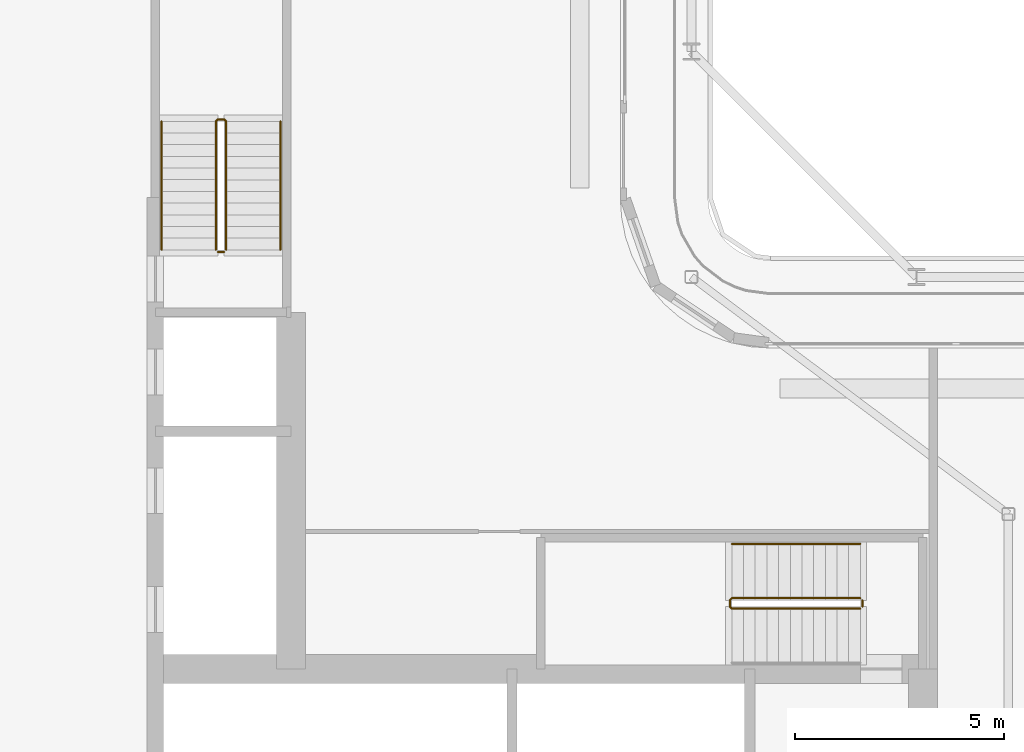
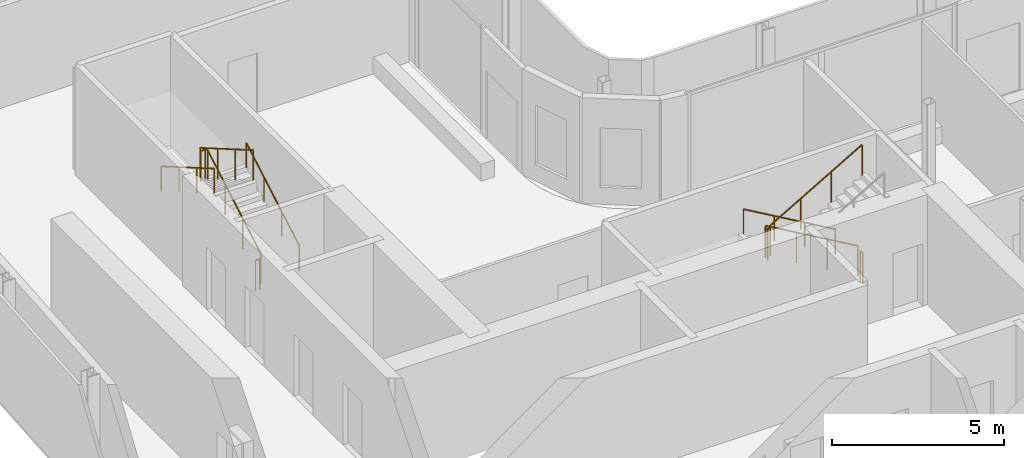
# One storey, part 17 of 22: 7 railings.
"""IFC4 building model written with IfcOpenShell, lengths in metres."""

from ifc_helpers import new_model, si_unit, direction, frame, origin, origin_2d, place, context, subcontext, project, spatial, circle, extrude, material, type_object, element, save


model = new_model("IFC4")

# Units and contexts
model_context = context("Model", 3, precision=1e-05, world=origin(), true_north=direction((0.0, 1.0)))
body_context = subcontext(model_context, "Body", "Model", "MODEL_VIEW")
ifc_project = project(units=[si_unit("LENGTHUNIT", "METRE"), si_unit("AREAUNIT", "SQUARE_METRE"), si_unit("VOLUMEUNIT", "CUBIC_METRE"), si_unit("PLANEANGLEUNIT", "RADIAN"), si_unit("MASSUNIT", "GRAM", prefix="KILO")], contexts=[model_context])

# Site, building, storey
site_placement = place(None, origin())
site = spatial("IfcSite", under=ifc_project, at=site_placement, CompositionType="ELEMENT")
building_placement = place(site_placement, origin())
building = spatial("IfcBuilding", under=site, at=building_placement, Name="Kheshtan School and Residences Tower", CompositionType="ELEMENT")
storey_placement = place(building_placement, frame((0.0, 0.0, 255.199951171875)))
storey = spatial("IfcBuildingStorey", under=building, at=storey_placement, Name="L60", CompositionType="ELEMENT", Elevation=255.199951171875)

# Railings
ifc_material_1 = material(Name="Stainless steel balustrade", Category="steel")
railing_type_1 = type_object("IfcRailingType", Name="Stair guard 1100", PredefinedType="GUARDRAIL", material=ifc_material_1)
railing_1_placement = place(storey_placement, frame((51.64990234375, 37.89990234375, 0.16259765625)))
element("IfcRailing", 1, at=railing_1_placement, inside=storey, type_object=railing_type_1, Name="L60 ST1 stair guard 1", PredefinedType="GUARDRAIL", context=body_context, shape_type="SweptSolid", body=[
    extrude(circle(Radius=0.02392578125, at=origin_2d()), frame((0.0, 0.0, 1.076171875), z_axis=(-0.864903211148, 0.0, 0.501938676878), x_axis=(0.0, -1.0, 0.0)), (0.0, 0.0, 1.0), 3.560791015625),
    extrude(circle(Radius=0.02392578125, at=origin_2d()), frame((-3.079833984375, 0.0, 2.86328125), z_axis=(-0.708833529934, -0.705375805398, 0.0), x_axis=(0.705375805398, -0.708833529934, 0.0)), (0.0, 0.0, 1.0), 0.070556640625),
    extrude(circle(Radius=0.02392578125, at=origin_2d()), frame((-3.1298828125, -0.0498046875, 2.86328125), z_axis=(0.0, -1.0, 0.0), x_axis=(1.0, 0.0, 0.0)), (0.0, 0.0, 1.0), 0.150146484375),
    extrude(circle(Radius=0.02392578125, at=origin_2d()), frame((-3.1298828125, -0.199951171875, 2.86328125), z_axis=(0.282227285176, -0.282227285176, 0.916894497205), x_axis=(0.707106781187, 0.707106781187, 0.0)), (0.0, 0.0, 1.0), 0.17724609375),
    extrude(circle(Radius=0.02392578125, at=origin_2d()), frame((-3.079833984375, -0.25, 3.02587890625), z_axis=(0.864873446163, 0.0, 0.501989962173), x_axis=(0.0, 1.0, 0.0)), (0.0, 0.0, 1.0), 3.56103515625),
    extrude(circle(Radius=0.02099609375, at=origin_2d()), origin(), (0.0, 0.0, 1.0), 1.052001953125),
    extrude(circle(Radius=0.02099609375, at=origin_2d()), frame((-1.026611328125, 0.0, 0.595703125)), (0.0, 0.0, 1.0), 1.052001953125),
    extrude(circle(Radius=0.02099609375, at=origin_2d()), frame((-2.05322265625, 0.0, 1.191650390625)), (0.0, 0.0, 1.0), 1.052001953125),
    extrude(circle(Radius=0.02099609375, at=origin_2d()), frame((-3.079833984375, 0.0, 1.787353515625)), (0.0, 0.0, 1.0), 1.052001953125),
    extrude(circle(Radius=0.02099609375, at=origin_2d()), frame((-3.1298828125, -0.0498046875, 1.787353515625)), (0.0, 0.0, 1.0), 1.052001953125),
    extrude(circle(Radius=0.02099609375, at=origin_2d()), frame((-3.1298828125, -0.199951171875, 1.787353515625)), (0.0, 0.0, 1.0), 1.052001953125),
    extrude(circle(Radius=0.02099609375, at=origin_2d()), frame((-3.079833984375, -0.25, 1.949951171875)), (0.0, 0.0, 1.0), 1.052001953125),
    extrude(circle(Radius=0.02099609375, at=origin_2d()), frame((-2.05322265625, -0.25, 2.5458984375)), (0.0, 0.0, 1.0), 1.052001953125),
    extrude(circle(Radius=0.02099609375, at=origin_2d()), frame((-1.026611328125, -0.25, 3.1416015625)), (0.0, 0.0, 1.0), 1.052001953125),
    extrude(circle(Radius=0.02099609375, at=origin_2d()), frame((0.0, -0.25, 3.737548828125)), (0.0, 0.0, 1.0), 1.052001953125),
])
railing_2_placement = place(storey_placement, frame((51.699951171875, 37.85009765625, 0.0)))
element("IfcRailing", 2, at=railing_2_placement, inside=storey, type_object=railing_type_1, Name="L60 ST1 stair guard 2", PredefinedType="GUARDRAIL", context=body_context, shape_type="SweptSolid", body=[
    extrude(circle(Radius=0.02392578125, at=origin_2d()), frame((0.0, 0.0, 1.076171875), z_axis=(0.0, -1.0, 0.0), x_axis=(1.0, 0.0, 0.0)), (0.0, 0.0, 1.0), 0.150146484375),
    extrude(circle(Radius=0.02099609375, at=origin_2d()), origin(), (0.0, 0.0, 1.0), 1.052001953125),
    extrude(circle(Radius=0.02099609375, at=origin_2d()), frame((0.0, -0.150146484375, 0.0)), (0.0, 0.0, 1.0), 1.052001953125),
])
railing_3_placement = place(storey_placement, frame((36.449951171875, 46.25, 0.16259765625)))
element("IfcRailing", 3, at=railing_3_placement, inside=storey, type_object=railing_type_1, Name="L60 ST2 stair guard 1", PredefinedType="GUARDRAIL", context=body_context, shape_type="SweptSolid", body=[
    extrude(circle(Radius=0.02392578125, at=origin_2d()), frame((0.0, 0.0, 1.076171875), z_axis=(0.0, 0.864920483161, 0.501908913857), x_axis=(-1.0, 0.0, 0.0)), (0.0, 0.0, 1.0), 3.56103515625),
    extrude(circle(Radius=0.02392578125, at=origin_2d()), frame((0.0, 3.080078125, 2.86328125), z_axis=(-0.708833529934, 0.705375805398, 0.0), x_axis=(-0.705375805398, -0.708833529934, 0.0)), (0.0, 0.0, 1.0), 0.070556640625),
    extrude(circle(Radius=0.02392578125, at=origin_2d()), frame((-0.050048828125, 3.1298828125, 2.86328125), z_axis=(-1.0, 0.0, 0.0), x_axis=(0.0, -1.0, 0.0)), (0.0, 0.0, 1.0), 0.14990234375),
    extrude(circle(Radius=0.02392578125, at=origin_2d()), frame((-0.199951171875, 3.1298828125, 2.86328125), z_axis=(-0.282336740067, -0.280959487676, 0.917250092119), x_axis=(0.705375805398, -0.708833529934, 0.0)), (0.0, 0.0, 1.0), 0.17724609375),
    extrude(circle(Radius=0.02392578125, at=origin_2d()), frame((-0.25, 3.080078125, 3.02587890625), z_axis=(0.0, -0.864890721111, 0.501960198159), x_axis=(1.0, 0.0, 0.0)), (0.0, 0.0, 1.0), 3.561279296875),
    extrude(circle(Radius=0.02099609375, at=origin_2d()), origin(), (0.0, 0.0, 1.0), 1.052001953125),
    extrude(circle(Radius=0.02099609375, at=origin_2d()), frame((0.0, 1.026611328125, 0.595703125)), (0.0, 0.0, 1.0), 1.052001953125),
    extrude(circle(Radius=0.02099609375, at=origin_2d()), frame((0.0, 2.053466796875, 1.191650390625)), (0.0, 0.0, 1.0), 1.052001953125),
    extrude(circle(Radius=0.02099609375, at=origin_2d()), frame((0.0, 3.080078125, 1.787353515625)), (0.0, 0.0, 1.0), 1.052001953125),
    extrude(circle(Radius=0.02099609375, at=origin_2d()), frame((-0.050048828125, 3.1298828125, 1.787353515625)), (0.0, 0.0, 1.0), 1.052001953125),
    extrude(circle(Radius=0.02099609375, at=origin_2d()), frame((-0.199951171875, 3.1298828125, 1.787353515625)), (0.0, 0.0, 1.0), 1.052001953125),
    extrude(circle(Radius=0.02099609375, at=origin_2d()), frame((-0.25, 3.080078125, 1.949951171875)), (0.0, 0.0, 1.0), 1.052001953125),
    extrude(circle(Radius=0.02099609375, at=origin_2d()), frame((-0.25, 2.053466796875, 2.5458984375)), (0.0, 0.0, 1.0), 1.052001953125),
    extrude(circle(Radius=0.02099609375, at=origin_2d()), frame((-0.25, 1.026611328125, 3.1416015625)), (0.0, 0.0, 1.0), 1.052001953125),
    extrude(circle(Radius=0.02099609375, at=origin_2d()), frame((-0.25, 0.0, 3.737548828125)), (0.0, 0.0, 1.0), 1.052001953125),
])
railing_4_placement = place(storey_placement, frame((36.39990234375, 46.199951171875, 0.0)))
element("IfcRailing", 4, at=railing_4_placement, inside=storey, type_object=railing_type_1, Name="L60 ST2 stair guard 2", PredefinedType="GUARDRAIL", context=body_context, shape_type="SweptSolid", body=[
    extrude(circle(Radius=0.02392578125, at=origin_2d()), frame((0.0, 0.0, 1.076171875), z_axis=(-1.0, 0.0, 0.0), x_axis=(0.0, -1.0, 0.0)), (0.0, 0.0, 1.0), 0.14990234375),
    extrude(circle(Radius=0.02099609375, at=origin_2d()), origin(), (0.0, 0.0, 1.0), 1.052001953125),
    extrude(circle(Radius=0.02099609375, at=origin_2d()), frame((-0.14990234375, 0.0, 0.0)), (0.0, 0.0, 1.0), 1.052001953125),
])
ifc_material_2 = material(Name="Stainless steel handrail", Category="steel")
railing_type_2 = type_object("IfcRailingType", Name="Stair handrail 900", PredefinedType="HANDRAIL", material=ifc_material_2)
railing_5_placement = place(storey_placement, frame((51.64990234375, 39.199951171875, 0.16259765625)))
element("IfcRailing", 5, at=railing_5_placement, inside=storey, type_object=railing_type_2, Name="L60 ST1 stair handrail 1", PredefinedType="HANDRAIL", context=body_context, shape_type="SweptSolid", body=[
    extrude(circle(Radius=0.02392578125, at=origin_2d()), frame((0.0, 0.0, 0.8759765625), z_axis=(-0.864903211148, 0.0, 0.501938676878), x_axis=(0.0, -1.0, 0.0)), (0.0, 0.0, 1.0), 3.560791015625),
    extrude(circle(Radius=0.02099609375, at=origin_2d()), origin(), (0.0, 0.0, 1.0), 0.851806640625),
    extrude(circle(Radius=0.02099609375, at=origin_2d()), frame((-1.026611328125, 0.0, 0.595703125)), (0.0, 0.0, 1.0), 0.851806640625),
    extrude(circle(Radius=0.02099609375, at=origin_2d()), frame((-2.05322265625, 0.0, 1.191650390625)), (0.0, 0.0, 1.0), 0.851806640625),
    extrude(circle(Radius=0.02099609375, at=origin_2d()), frame((-3.079833984375, 0.0, 1.787353515625)), (0.0, 0.0, 1.0), 0.851806640625),
])
railing_6_placement = place(storey_placement, frame((37.75, 46.25, 0.16259765625)))
element("IfcRailing", 6, at=railing_6_placement, inside=storey, type_object=railing_type_2, Name="L60 ST2 stair handrail 1", PredefinedType="HANDRAIL", context=body_context, shape_type="SweptSolid", body=[
    extrude(circle(Radius=0.02392578125, at=origin_2d()), frame((0.0, 0.0, 0.8759765625), z_axis=(0.0, 0.864920483161, 0.501908913857), x_axis=(-1.0, 0.0, 0.0)), (0.0, 0.0, 1.0), 3.56103515625),
    extrude(circle(Radius=0.02099609375, at=origin_2d()), origin(), (0.0, 0.0, 1.0), 0.851806640625),
    extrude(circle(Radius=0.02099609375, at=origin_2d()), frame((0.0, 1.026611328125, 0.595703125)), (0.0, 0.0, 1.0), 0.851806640625),
    extrude(circle(Radius=0.02099609375, at=origin_2d()), frame((0.0, 2.053466796875, 1.191650390625)), (0.0, 0.0, 1.0), 0.851806640625),
    extrude(circle(Radius=0.02099609375, at=origin_2d()), frame((0.0, 3.080078125, 1.787353515625)), (0.0, 0.0, 1.0), 0.851806640625),
])
railing_7_placement = place(storey_placement, frame((34.89990234375, 49.330078125, 2.112548828125)))
element("IfcRailing", 7, at=railing_7_placement, inside=storey, type_object=railing_type_2, Name="L60 ST2 stair handrail 2", PredefinedType="HANDRAIL", context=body_context, shape_type="SweptSolid", body=[
    extrude(circle(Radius=0.02392578125, at=origin_2d()), frame((0.0, 0.0, 0.8759765625), z_axis=(0.0, -0.864890721111, 0.501960198159), x_axis=(1.0, 0.0, 0.0)), (0.0, 0.0, 1.0), 3.561279296875),
    extrude(circle(Radius=0.02099609375, at=origin_2d()), origin(), (0.0, 0.0, 1.0), 0.851806640625),
    extrude(circle(Radius=0.02099609375, at=origin_2d()), frame((0.0, -1.026611328125, 0.595947265625)), (0.0, 0.0, 1.0), 0.851806640625),
    extrude(circle(Radius=0.02099609375, at=origin_2d()), frame((0.0, -2.053466796875, 1.191650390625)), (0.0, 0.0, 1.0), 0.851806640625),
    extrude(circle(Radius=0.02099609375, at=origin_2d()), frame((0.0, -3.080078125, 1.78759765625)), (0.0, 0.0, 1.0), 0.851806640625),
])

save(model, "model.ifc")
